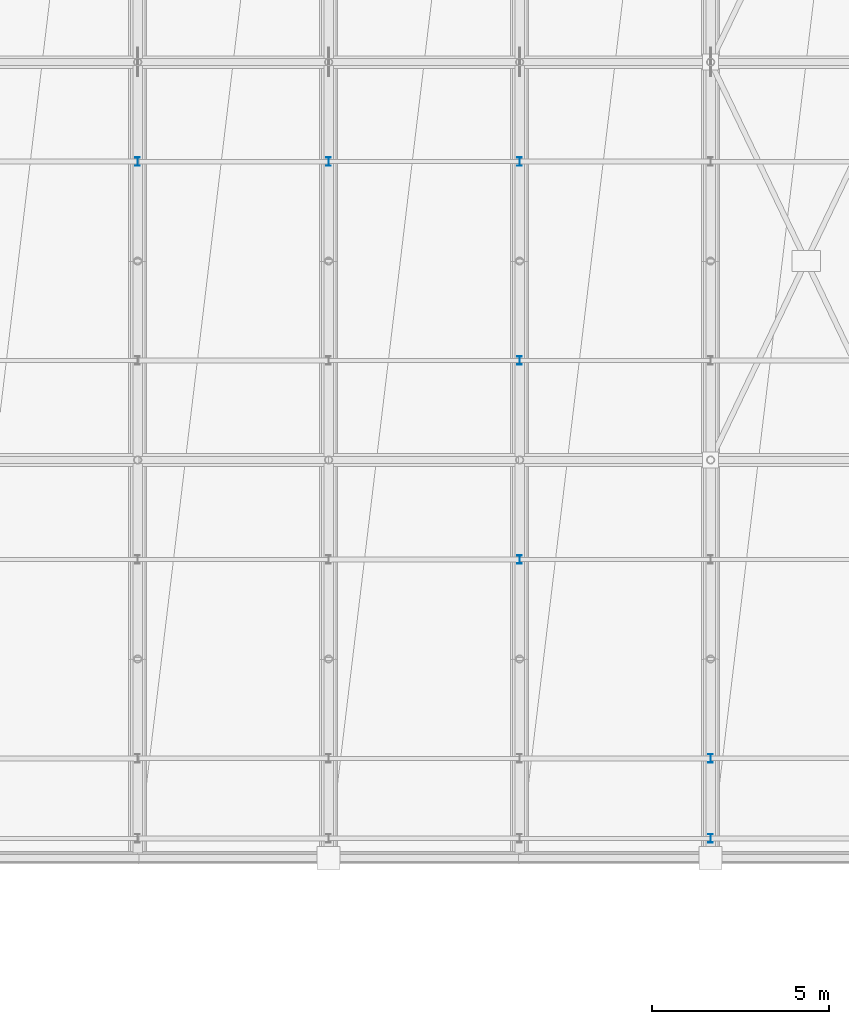
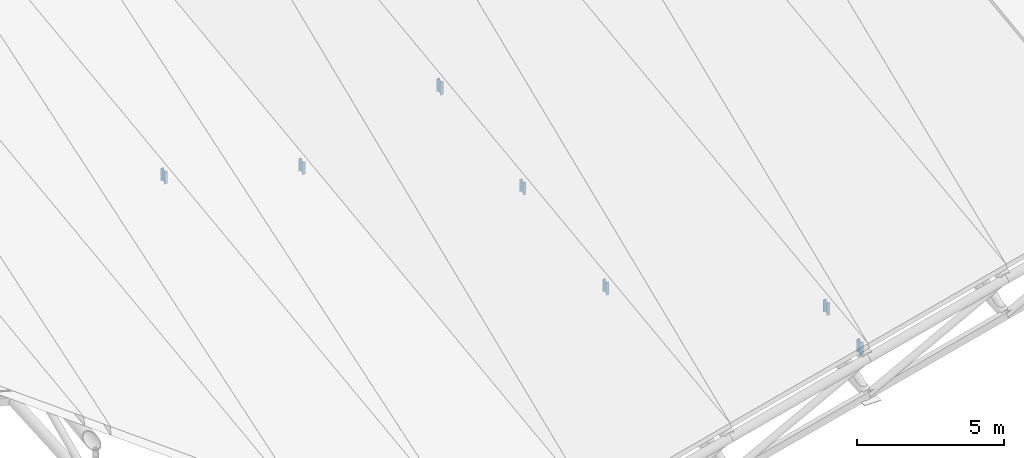
# One storey, part 58 of 109: 7 members.
"""IFC4 building model written with IfcOpenShell, lengths in metres."""

from ifc_helpers import new_model, si_unit, direction, frame, origin, origin_2d, place, context, subcontext, project, spatial, i_section, extrude, material, material_profile, profile_set, type_object, element, save


model = new_model("IFC4")

# Units and contexts
model_context = context("Model", 3, precision=1e-05, world=origin(), true_north=direction((0.0, 1.0)))
body_context = subcontext(model_context, "Body", "Model", "MODEL_VIEW")
ifc_project = project(units=[si_unit("LENGTHUNIT", "METRE"), si_unit("AREAUNIT", "SQUARE_METRE"), si_unit("VOLUMEUNIT", "CUBIC_METRE"), si_unit("PLANEANGLEUNIT", "RADIAN"), si_unit("MASSUNIT", "GRAM", prefix="KILO")], contexts=[model_context])

# Site, building, storey
site_placement = place(None, origin())
site = spatial("IfcSite", under=ifc_project, at=site_placement, CompositionType="ELEMENT")
building_placement = place(site_placement, origin())
building = spatial("IfcBuilding", under=site, at=building_placement, Name="Suirenkawa Promenade Aquatics Centre", CompositionType="ELEMENT")
storey_placement = place(building_placement, frame((0.0, 0.0, 22.800048828125)))
storey = spatial("IfcBuildingStorey", under=building, at=storey_placement, Name="ROOF", CompositionType="ELEMENT", Elevation=22.800048828125)

# Members
ifc_material = material(Name="Steel IS 2062 E350 (Grade 350)", Category="steel")
ifc_material_profile = material_profile(ifc_material, i_section(OverallWidth=0.125, OverallDepth=0.25, WebThickness=0.007080078125, FlangeThickness=0.012939453125, at=origin_2d()), Name="ISMB 250", Category="steel")
ifc_profile_set = profile_set([ifc_material_profile], Name="Steel IS 2062 E350 (Grade 350)")
member_type = type_object("IfcMemberType", Name="MT-WEB-CHS168", PredefinedType="BRACE", material=ifc_profile_set)
member_1_placement = place(storey_placement, frame((84.60009765625, 70.087890625, -11.18212890625), z_axis=(0.0, 0.0, 1.0), x_axis=(1.0, 0.0, 0.0)))
element("IfcMember", 1, at=member_1_placement, inside=storey, type_object=member_type, Name="ROOF TRUSS Purlin cleat post TD-03 MB-1912", PredefinedType="BRACE", context=body_context, shape_type="SweptSolid", body=[
    extrude(i_section(OverallWidth=0.125, OverallDepth=0.25, WebThickness=0.007080078125, FlangeThickness=0.012939453125, at=origin_2d()), origin(), (0.0, 0.0, 1.0), 0.51904296875),
])
member_2_placement = place(storey_placement, frame((90.0, 70.087890625, -12.68212890625), z_axis=(0.0, 0.0, 1.0), x_axis=(1.0, 0.0, 0.0)))
element("IfcMember", 2, at=member_2_placement, inside=storey, type_object=member_type, Name="ROOF TRUSS Purlin cleat post TD-03 MB-1948", PredefinedType="BRACE", context=body_context, shape_type="SweptSolid", body=[
    extrude(i_section(OverallWidth=0.125, OverallDepth=0.25, WebThickness=0.007080078125, FlangeThickness=0.012939453125, at=origin_2d()), origin(), (0.0, 0.0, 1.0), 0.52099609375),
])
for number, where, z_axis, x_axis, name in (
    (3, (95.39990234375, 58.8369140625, -12.733154296875), (0.0, 0.0, 1.0), (1.0, 0.0, 0.0), "ROOF TRUSS Purlin cleat post TD-03 MB-1980"),
    (4, (95.39990234375, 64.462890625, -12.007080078125), (0.0, 0.0, 1.0), (1.0, 0.0, 0.0), "ROOF TRUSS Purlin cleat post TD-03 MB-1982"),
):
    element("IfcMember", number, at=place(storey_placement, frame(where, z_axis=z_axis, x_axis=x_axis)), inside=storey, type_object=member_type, Name=name, PredefinedType="BRACE", context=body_context, shape_type="SweptSolid", body=[
        extrude(i_section(OverallWidth=0.125, OverallDepth=0.25, WebThickness=0.007080078125, FlangeThickness=0.012939453125, at=origin_2d()), origin(), (0.0, 0.0, 1.0), 0.52001953125),
    ])
member_3_placement = place(storey_placement, frame((95.39990234375, 70.087890625, -11.281982421875), z_axis=(0.0, 0.0, 1.0), x_axis=(1.0, 0.0, 0.0)))
element("IfcMember", 5, at=member_3_placement, inside=storey, type_object=member_type, Name="ROOF TRUSS Purlin cleat post TD-03 MB-1984", PredefinedType="BRACE", context=body_context, shape_type="SweptSolid", body=[
    extrude(i_section(OverallWidth=0.125, OverallDepth=0.25, WebThickness=0.007080078125, FlangeThickness=0.012939453125, at=origin_2d()), origin(), (0.0, 0.0, 1.0), 0.5458984375),
])
member_4_placement = place(storey_placement, frame((100.800048828125, 50.949951171875, -12.34912109375), z_axis=(0.0, 0.0, 1.0), x_axis=(1.0, 0.0, 0.0)))
element("IfcMember", 6, at=member_4_placement, inside=storey, type_object=member_type, Name="ROOF TRUSS Purlin cleat post TD-03 MB-2012", PredefinedType="BRACE", context=body_context, shape_type="SweptSolid", body=[
    extrude(i_section(OverallWidth=0.125, OverallDepth=0.25, WebThickness=0.007080078125, FlangeThickness=0.012939453125, at=origin_2d()), origin(), (0.0, 0.0, 1.0), 0.546142578125),
])
member_5_placement = place(storey_placement, frame((100.800048828125, 53.2119140625, -12.05810546875), z_axis=(0.0, 0.0, 1.0), x_axis=(1.0, 0.0, 0.0)))
element("IfcMember", 7, at=member_5_placement, inside=storey, type_object=member_type, Name="ROOF TRUSS Purlin cleat post TD-03 MB-2014", PredefinedType="BRACE", context=body_context, shape_type="SweptSolid", body=[
    extrude(i_section(OverallWidth=0.125, OverallDepth=0.25, WebThickness=0.007080078125, FlangeThickness=0.012939453125, at=origin_2d()), origin(), (0.0, 0.0, 1.0), 0.52001953125),
])

save(model, "model.ifc")
